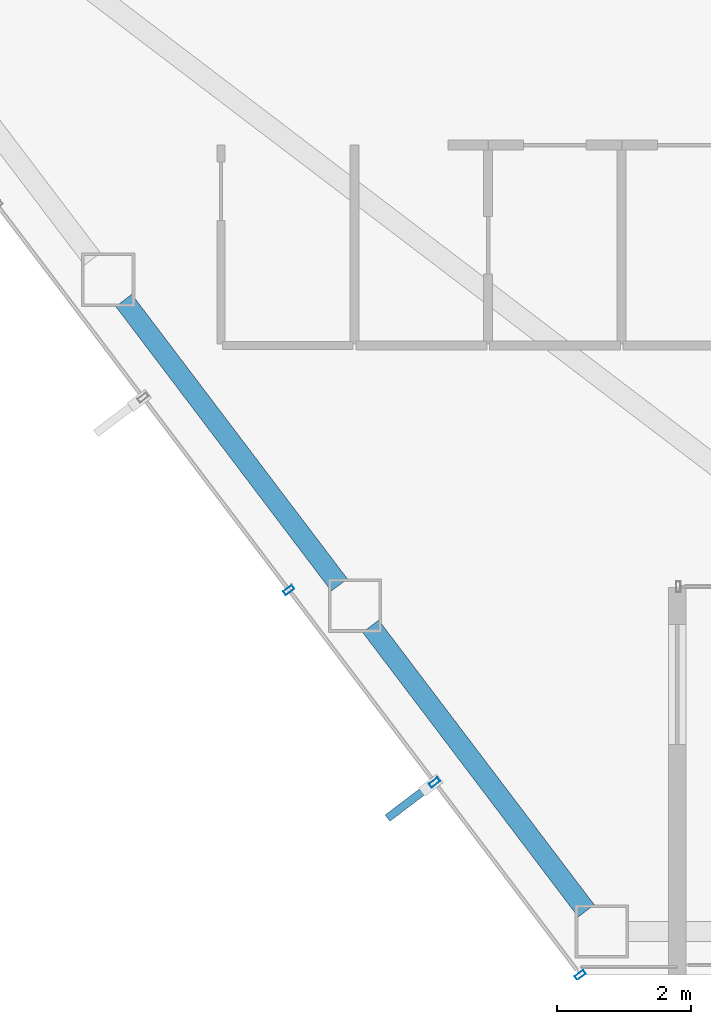
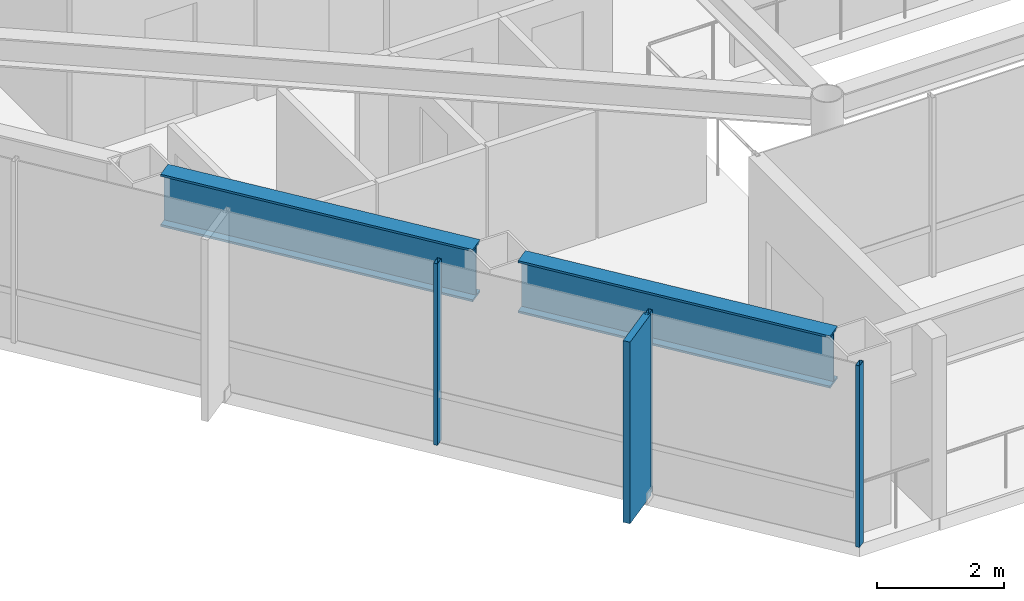
# One storey, part 2 of 28: 4 members, 2 beams, 1 element without a shape of its own.
"""IFC4 building model written with IfcOpenShell, lengths in metres."""

from ifc_helpers import new_model, si_unit, direction, frame, origin, origin_2d, place, context, subcontext, project, spatial, rectangle, hollow_rectangle, i_section, extrude, material, layer, layer_set, material_profile, profile_set, type_object, element, aggregate, save


model = new_model("IFC4")

# Units and contexts
model_context = context("Model", 3, precision=1e-05, world=origin(), true_north=direction((0.0, 1.0)))
body_context = subcontext(model_context, "Body", "Model", "MODEL_VIEW")
ifc_project = project(units=[si_unit("LENGTHUNIT", "METRE"), si_unit("AREAUNIT", "SQUARE_METRE"), si_unit("VOLUMEUNIT", "CUBIC_METRE"), si_unit("PLANEANGLEUNIT", "RADIAN"), si_unit("MASSUNIT", "GRAM", prefix="KILO")], contexts=[model_context])

# Site, building, storey
site_placement = place(None, origin())
site = spatial("IfcSite", under=ifc_project, at=site_placement, CompositionType="ELEMENT")
building_placement = place(site_placement, origin())
building = spatial("IfcBuilding", under=site, at=building_placement, Name="Zarrinselat Tower", CompositionType="ELEMENT")
storey_placement = place(building_placement, frame((0.0, 0.0, 157.080078125)))
storey = spatial("IfcBuildingStorey", under=building, at=storey_placement, Name="L38", CompositionType="ELEMENT", Elevation=157.080078125)

# Beams
ifc_material_1 = material(Name="Steel S460M", Category="steel")
ifc_material_profile_1 = material_profile(ifc_material_1, i_section(OverallWidth=0.302001953125, OverallDepth=1.008056640625, WebThickness=0.02099609375, FlangeThickness=0.0400390625, at=origin_2d()), Name="HEM 1000")
ifc_profile_set_1 = profile_set([ifc_material_profile_1], Name="Steel S460M")
beam_type = type_object("IfcBeamType", Name="BM-HEM1000", PredefinedType="BEAM", material=ifc_profile_set_1)
for number, where, z_axis, x_axis, name in (
    (1, (23.69287109375, 27.826416015625, 2.995849609375), (0.603871751824, -0.797081493543, 0.0), (0.797081493543, 0.603871751824, 0.0), "L38 Perimeter Spandrel Girder SP08"),
    (2, (27.390869140625, 22.9453125, 2.995849609375), (0.603849777297, -0.797098141045, 0.0), (0.797098141045, 0.603849777297, 0.0), "L38 Perimeter Spandrel Girder SP09"),
):
    element("IfcBeam", number, at=place(storey_placement, frame(where, z_axis=z_axis, x_axis=x_axis)), inside=storey, type_object=beam_type, Name=name, PredefinedType="BEAM", context=body_context, shape_type="SweptSolid", body=[
        extrude(i_section(OverallWidth=0.302001953125, OverallDepth=1.008056640625, WebThickness=0.02099609375, FlangeThickness=0.0400390625, at=origin_2d()), origin(), (0.0, 0.0, 1.0), 5.34765625),
    ])

# Curtain wall, members
ifc_material_2 = material(Name="Extruded Aluminium Alloy EN AW-6063 T6", Category="aluminium")
ifc_layer = layer(ifc_material_2, 0.175048828125)
ifc_layer_set = layer_set([ifc_layer], Name="Extruded Aluminium Alloy EN AW-6063 T6")
curtain_wall_type = type_object("IfcCurtainWallType", Name="CWS-HTL", PredefinedType="NOTDEFINED", material=ifc_layer_set)
curtain_wall_placement = place(storey_placement, origin())
curtain_wall = element("IfcCurtainWall", 3, at=curtain_wall_placement, inside=storey, type_object=curtain_wall_type, Name="L38 Unitised Curtain Wall CW-L38-E01", PredefinedType="NOTDEFINED")
ifc_material_3 = material(Name="Extruded Aluminium Alloy EN AW-6063 T6", Category="aluminium")
ifc_material_profile_2 = material_profile(ifc_material_3, hollow_rectangle(XDim=0.070068359375, YDim=0.159912109375, WallThickness=0.00390625, at=origin_2d()), Name="RHS 160x70x4")
ifc_profile_set_2 = profile_set([ifc_material_profile_2], Name="Extruded Aluminium Alloy EN AW-6063 T6")
member_type_1 = type_object("IfcMemberType", Name="MEM-CW-MUL2", PredefinedType="MULLION", material=ifc_profile_set_2)
member_1_placement = place(storey_placement, frame((30.53125, 17.723388671875, 0.0), z_axis=(0.0, 0.0, 1.0), x_axis=(-0.603857992276, 0.797091917639, 0.0)))
member_1 = element("IfcMember", 4, at=member_1_placement, type_object=member_type_1, Name="CW-L38-E01 Mullion 0", PredefinedType="MULLION", context=body_context, shape_type="SweptSolid", body=[
    extrude(hollow_rectangle(XDim=0.070068359375, YDim=0.159912109375, WallThickness=0.00390625, at=origin_2d()), origin(), (0.0, 0.0, 1.0), 3.5),
])
member_2_placement = place(storey_placement, frame((28.347900390625, 20.60546875, 0.0), z_axis=(0.0, 0.0, 1.0), x_axis=(-0.603857992276, 0.797091917639, 0.0)))
member_2 = element("IfcMember", 5, at=member_2_placement, type_object=member_type_1, Name="CW-L38-E01 Mullion 1", PredefinedType="MULLION", context=body_context, shape_type="SweptSolid", body=[
    extrude(hollow_rectangle(XDim=0.070068359375, YDim=0.159912109375, WallThickness=0.00390625, at=origin_2d()), origin(), (0.0, 0.0, 1.0), 3.5),
])
member_3_placement = place(storey_placement, frame((26.16455078125, 23.487548828125, 0.0), z_axis=(0.0, 0.0, 1.0), x_axis=(-0.603857992276, 0.797091917639, 0.0)))
member_3 = element("IfcMember", 6, at=member_3_placement, type_object=member_type_1, Name="CW-L38-E01 Mullion 2", PredefinedType="MULLION", context=body_context, shape_type="SweptSolid", body=[
    extrude(hollow_rectangle(XDim=0.070068359375, YDim=0.159912109375, WallThickness=0.00390625, at=origin_2d()), origin(), (0.0, 0.0, 1.0), 3.5),
])
ifc_material_4 = material(Name="Honed Cream Travertine Stone", Category="masonry")
ifc_material_profile_3 = material_profile(ifc_material_4, rectangle(XDim=0.1201171875, YDim=0.85009765625, at=origin_2d()), Name="FIN 850x120")
ifc_profile_set_3 = profile_set([ifc_material_profile_3], Name="Honed Cream Travertine Stone")
member_type_2 = type_object("IfcMemberType", Name="MEM-STONE-FIN", PredefinedType="USERDEFINED", material=ifc_profile_set_3)
member_4_placement = place(storey_placement, frame((27.981201171875, 20.32763671875, 0.0), z_axis=(0.0, 0.0, 1.0), x_axis=(-0.603857992276, 0.797091917639, 0.0)))
member_4 = element("IfcMember", 7, at=member_4_placement, type_object=member_type_2, Name="L38 Stone Shading Fin CW-L38-E01-01", ObjectType="FIN", PredefinedType="USERDEFINED", context=body_context, shape_type="SweptSolid", body=[
    extrude(rectangle(XDim=0.1201171875, YDim=0.85009765625, at=origin_2d()), origin(), (0.0, 0.0, 1.0), 3.5),
])
aggregate(curtain_wall, [member_1, member_2, member_4, member_3])

save(model, "model.ifc")
